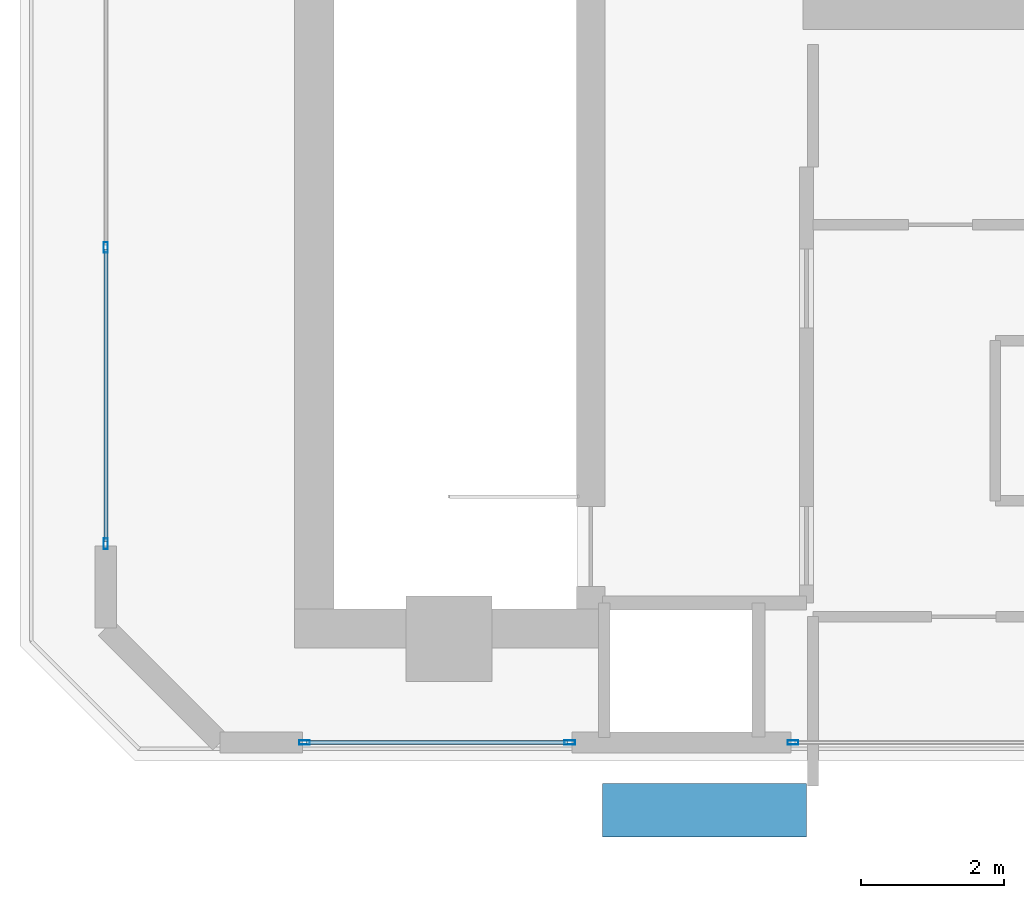
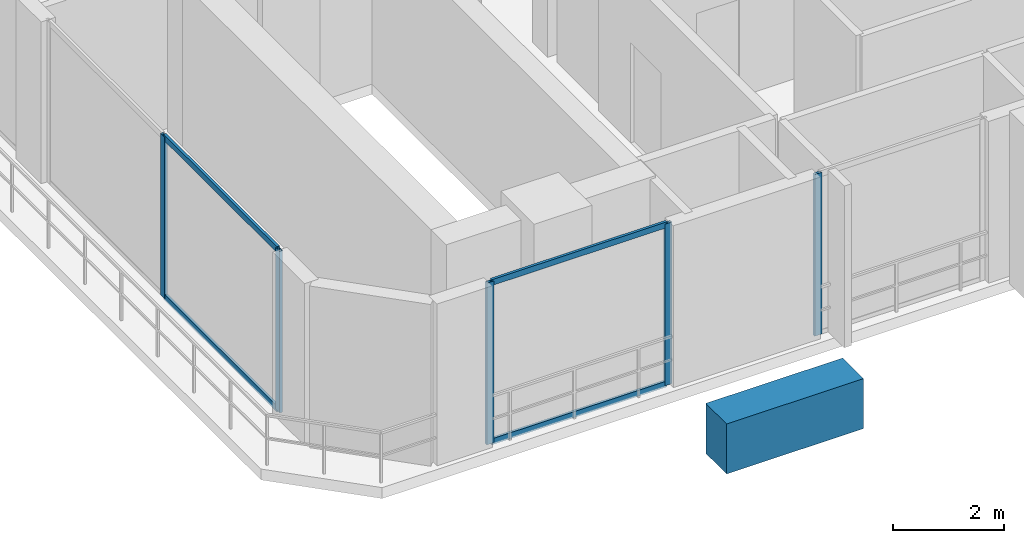
# One storey, part 2 of 26: 9 members, 1 beam, 3 elements without a shape of their own.
"""IFC4 building model written with IfcOpenShell, lengths in metres."""

from ifc_helpers import new_model, si_unit, direction, frame, origin, origin_2d, place, context, subcontext, project, spatial, rectangle, hollow_rectangle, extrude, material, layer, layer_set, material_profile, profile_set, type_object, element, aggregate, save


model = new_model("IFC4")

# Units and contexts
model_context = context("Model", 3, precision=1e-05, world=origin(), true_north=direction((0.0, 1.0)))
body_context = subcontext(model_context, "Body", "Model", "MODEL_VIEW")
ifc_project = project(units=[si_unit("LENGTHUNIT", "METRE"), si_unit("AREAUNIT", "SQUARE_METRE"), si_unit("VOLUMEUNIT", "CUBIC_METRE"), si_unit("PLANEANGLEUNIT", "RADIAN"), si_unit("MASSUNIT", "GRAM", prefix="KILO")], contexts=[model_context])

# Site, building, storey
site_placement = place(None, origin())
site = spatial("IfcSite", under=ifc_project, at=site_placement, CompositionType="ELEMENT")
building_placement = place(site_placement, origin())
building = spatial("IfcBuilding", under=site, at=building_placement, Name="Zuhayl Quay Hotel", CompositionType="ELEMENT")
storey_placement = place(building_placement, frame((0.0, 0.0, 301.050048828125)))
storey = spatial("IfcBuildingStorey", under=building, at=storey_placement, Name="Crown 2", CompositionType="ELEMENT", Elevation=301.050048828125)

# Beam
ifc_material_1 = material(Name="Concrete C60/75", Category="concrete")
ifc_material_profile_1 = material_profile(ifc_material_1, rectangle(XDim=0.75, YDim=1.10009765625, at=origin_2d()), Name="RC750X1100")
ifc_profile_set_1 = profile_set([ifc_material_profile_1], Name="Concrete C60/75")
beam_type = type_object("IfcBeamType", Name="BM_CB2_RC750", PredefinedType="T_BEAM", material=ifc_profile_set_1)
beam_placement = place(storey_placement, frame((-11.64990234375, 2.14990234375, -0.7900390625), z_axis=(1.0, 0.0, 0.0), x_axis=(0.0, 1.0, 0.0)))
element("IfcBeam", 1, at=beam_placement, inside=storey, type_object=beam_type, Name="Crown 2 Core Coupling Beam SW", PredefinedType="T_BEAM", context=body_context, shape_type="SweptSolid", body=[
    extrude(rectangle(XDim=0.75, YDim=1.10009765625, at=origin_2d()), origin(), (0.0, 0.0, 1.0), 2.849853515625),
])

# Curtain wall, members
ifc_material_2 = material(Name="Anodised Aluminium 6063-T6", Category="aluminium")
ifc_layer = layer(ifc_material_2, 0.159912109375, Name="Anodised Aluminium 6063-T6", Category="aluminium")
ifc_layer_set = layer_set([ifc_layer], Name="Anodised Aluminium 6063-T6")
curtain_wall_type = type_object("IfcCurtainWallType", Name="CW_SYS_CRN", PredefinedType="USERDEFINED", material=ifc_layer_set)
curtain_wall_1_placement = place(storey_placement, origin())
curtain_wall_1 = element("IfcCurtainWall", 2, at=curtain_wall_1_placement, inside=storey, type_object=curtain_wall_type, Name="Crown 2 Curtain Wall ENV_CR2_E1_CW1", ObjectType="UNITISED CURTAIN WALL", PredefinedType="USERDEFINED")
ifc_material_3 = material(Name="Black-anodised aluminium 6063-T6", Category="aluminium")
ifc_material_profile_2 = material_profile(ifc_material_3, hollow_rectangle(XDim=0.06005859375, YDim=0.14990234375, WallThickness=0.00341796875, at=origin_2d()), Name="ALU150X60")
ifc_profile_set_2 = profile_set([ifc_material_profile_2], Name="Black-anodised aluminium 6063-T6")
member_type_1 = type_object("IfcMemberType", Name="MB_CW_MUL_150", PredefinedType="MULLION", material=ifc_profile_set_2)
member_1_placement = place(storey_placement, frame((-18.60009765625, 5.8798828125, 0.0), z_axis=(0.0, 0.0, 1.0), x_axis=(-1.0, 0.0, 0.0)))
member_1 = element("IfcMember", 3, at=member_1_placement, type_object=member_type_1, Name="CW-CRN mullion 1", PredefinedType="MULLION", context=body_context, shape_type="SweptSolid", body=[
    extrude(hollow_rectangle(XDim=0.06005859375, YDim=0.14990234375, WallThickness=0.00341796875, at=origin_2d()), origin(), (0.0, 0.0, 1.0), 3.56005859375),
])
member_2_placement = place(storey_placement, frame((-18.60009765625, 10.02490234375, 0.0), z_axis=(0.0, 0.0, 1.0), x_axis=(-1.0, 0.0, 0.0)))
member_2 = element("IfcMember", 4, at=member_2_placement, type_object=member_type_1, Name="CW-CRN mullion 2", PredefinedType="MULLION", context=body_context, shape_type="SweptSolid", body=[
    extrude(hollow_rectangle(XDim=0.06005859375, YDim=0.14990234375, WallThickness=0.00341796875, at=origin_2d()), origin(), (0.0, 0.0, 1.0), 3.56005859375),
])

# Curtain wall, member
curtain_wall_2_placement = place(storey_placement, origin())
curtain_wall_2 = element("IfcCurtainWall", 5, at=curtain_wall_2_placement, inside=storey, type_object=curtain_wall_type, Name="Crown 2 Curtain Wall ENV_CR2_E7_CW3", ObjectType="UNITISED CURTAIN WALL", PredefinedType="USERDEFINED")
member_3_placement = place(storey_placement, frame((-8.989990234375, 3.10009765625, 0.0), z_axis=(0.0, 0.0, 1.0), x_axis=(0.0, -1.0, 0.0)))
member_3 = element("IfcMember", 6, at=member_3_placement, type_object=member_type_1, Name="CW-CRN mullion 2", PredefinedType="MULLION", context=body_context, shape_type="SweptSolid", body=[
    extrude(hollow_rectangle(XDim=0.06005859375, YDim=0.14990234375, WallThickness=0.00341796875, at=origin_2d()), origin(), (0.0, 0.0, 1.0), 3.56005859375),
])
aggregate(curtain_wall_2, [member_3])

# Curtain wall, members
curtain_wall_3_placement = place(storey_placement, origin())
curtain_wall_3 = element("IfcCurtainWall", 7, at=curtain_wall_3_placement, inside=storey, type_object=curtain_wall_type, Name="Crown 2 Curtain Wall ENV_CR2_E7_CW4", ObjectType="UNITISED CURTAIN WALL", PredefinedType="USERDEFINED")
member_4_placement = place(storey_placement, frame((-12.110107421875, 3.10009765625, 0.0), z_axis=(0.0, 0.0, 1.0), x_axis=(0.0, -1.0, 0.0)))
member_4 = element("IfcMember", 8, at=member_4_placement, type_object=member_type_1, Name="CW-CRN mullion 1", PredefinedType="MULLION", context=body_context, shape_type="SweptSolid", body=[
    extrude(hollow_rectangle(XDim=0.06005859375, YDim=0.14990234375, WallThickness=0.00341796875, at=origin_2d()), origin(), (0.0, 0.0, 1.0), 3.56005859375),
])
member_5_placement = place(storey_placement, frame((-15.820068359375, 3.10009765625, 0.0), z_axis=(0.0, 0.0, 1.0), x_axis=(0.0, -1.0, 0.0)))
member_5 = element("IfcMember", 9, at=member_5_placement, type_object=member_type_1, Name="CW-CRN mullion 2", PredefinedType="MULLION", context=body_context, shape_type="SweptSolid", body=[
    extrude(hollow_rectangle(XDim=0.06005859375, YDim=0.14990234375, WallThickness=0.00341796875, at=origin_2d()), origin(), (0.0, 0.0, 1.0), 3.56005859375),
])

# Member
ifc_material_profile_3 = material_profile(ifc_material_3, hollow_rectangle(XDim=0.054931640625, YDim=0.1298828125, WallThickness=0.0029296875, at=origin_2d()), Name="ALU130X55")
ifc_profile_set_3 = profile_set([ifc_material_profile_3], Name="Black-anodised aluminium 6063-T6")
member_type_2 = type_object("IfcMemberType", Name="MB_CW_TRN_130", PredefinedType="USERDEFINED", material=ifc_profile_set_3)
member_6_placement = place(storey_placement, frame((-18.60009765625, 5.909912109375, 0.02734375), z_axis=(0.0, 1.0, 0.0), x_axis=(-1.0, 0.0, 0.0)))
member_6 = element("IfcMember", 10, at=member_6_placement, type_object=member_type_2, Name="CW-CRN transom 1.1", ObjectType="TRANSOM", PredefinedType="USERDEFINED", context=body_context, shape_type="SweptSolid", body=[
    extrude(hollow_rectangle(XDim=0.054931640625, YDim=0.1298828125, WallThickness=0.0029296875, at=origin_2d()), origin(), (0.0, 0.0, 1.0), 4.085205078125),
])

member_7_placement = place(storey_placement, frame((-18.60009765625, 5.909912109375, 3.532470703125), z_axis=(0.0, 1.0, 0.0), x_axis=(-1.0, 0.0, 0.0)))
member_7 = element("IfcMember", 11, at=member_7_placement, type_object=member_type_2, Name="CW-CRN transom 1.2", ObjectType="TRANSOM", PredefinedType="USERDEFINED", context=body_context, shape_type="SweptSolid", body=[
    extrude(hollow_rectangle(XDim=0.054931640625, YDim=0.1298828125, WallThickness=0.0029296875, at=origin_2d()), origin(), (0.0, 0.0, 1.0), 4.085205078125),
])

aggregate(curtain_wall_1, [member_1, member_2, member_6, member_7])

member_8_placement = place(storey_placement, frame((-12.139892578125, 3.10009765625, 0.02734375), z_axis=(-1.0, 0.0, 0.0), x_axis=(0.0, -1.0, 0.0)))
member_8 = element("IfcMember", 12, at=member_8_placement, type_object=member_type_2, Name="CW-CRN transom 1.1", ObjectType="TRANSOM", PredefinedType="USERDEFINED", context=body_context, shape_type="SweptSolid", body=[
    extrude(hollow_rectangle(XDim=0.054931640625, YDim=0.1298828125, WallThickness=0.0029296875, at=origin_2d()), origin(), (0.0, 0.0, 1.0), 3.650146484375),
])

member_9_placement = place(storey_placement, frame((-12.139892578125, 3.10009765625, 3.532470703125), z_axis=(-1.0, 0.0, 0.0), x_axis=(0.0, -1.0, 0.0)))
member_9 = element("IfcMember", 13, at=member_9_placement, type_object=member_type_2, Name="CW-CRN transom 1.2", ObjectType="TRANSOM", PredefinedType="USERDEFINED", context=body_context, shape_type="SweptSolid", body=[
    extrude(hollow_rectangle(XDim=0.054931640625, YDim=0.1298828125, WallThickness=0.0029296875, at=origin_2d()), origin(), (0.0, 0.0, 1.0), 3.650146484375),
])

aggregate(curtain_wall_3, [member_4, member_5, member_8, member_9])

save(model, "model.ifc")
